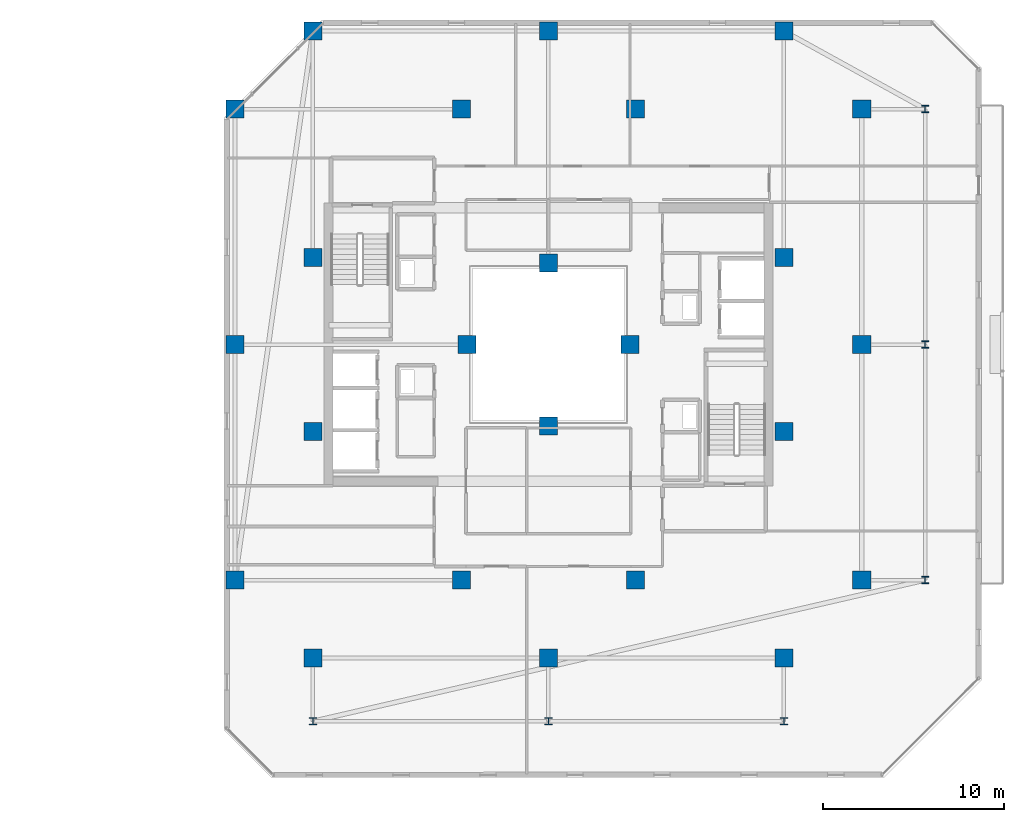
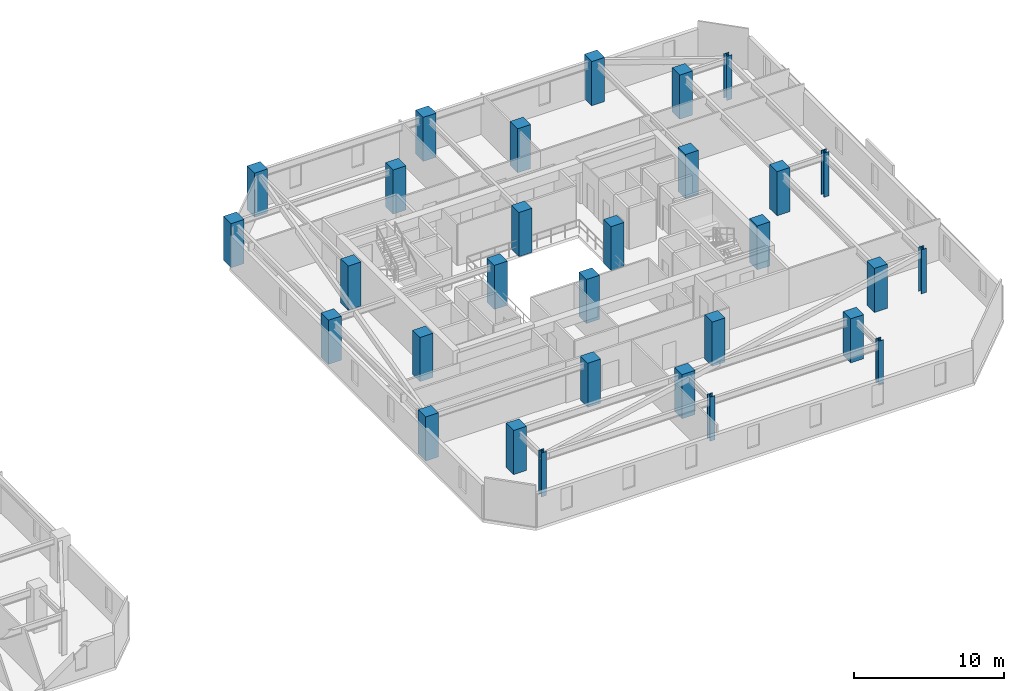
# One storey, part 2 of 32: 30 columns.
"""IFC4 building model written with IfcOpenShell, lengths in metres."""

from ifc_helpers import new_model, si_unit, direction, frame, origin, origin_2d, place, context, subcontext, project, spatial, rectangle, i_section, extrude, material, material_profile, profile_set, type_object, element, save


model = new_model("IFC4")

# Units and contexts
model_context = context("Model", 3, precision=1e-05, world=origin(), true_north=direction((0.0, 1.0)))
body_context = subcontext(model_context, "Body", "Model", "MODEL_VIEW")
ifc_project = project(units=[si_unit("LENGTHUNIT", "METRE"), si_unit("AREAUNIT", "SQUARE_METRE"), si_unit("VOLUMEUNIT", "CUBIC_METRE"), si_unit("PLANEANGLEUNIT", "RADIAN"), si_unit("MASSUNIT", "GRAM", prefix="KILO")], contexts=[model_context])

# Site, building, storey
site_placement = place(None, origin())
site = spatial("IfcSite", under=ifc_project, at=site_placement, CompositionType="ELEMENT")
building_placement = place(site_placement, origin())
building = spatial("IfcBuilding", under=site, at=building_placement, Name="Thornwick Lancets Civic Towers", CompositionType="ELEMENT")
storey_placement = place(building_placement, frame((0.0, 0.0, 240.300048828125)))
storey = spatial("IfcBuildingStorey", under=building, at=storey_placement, Name="L64", CompositionType="ELEMENT", Elevation=240.300048828125)

# Columns
ifc_material_1 = material(Name="Concrete C50/60", Category="concrete")
ifc_material_profile_1 = material_profile(ifc_material_1, rectangle(XDim=1.0, YDim=1.0, at=origin_2d()), Name="RC 1000x1000")
ifc_profile_set_1 = profile_set([ifc_material_profile_1], Name="Concrete C50/60")
column_type_1 = type_object("IfcColumnType", Name="COL_RC_1000", PredefinedType="COLUMN", material=ifc_profile_set_1)
for number, where, z_axis, x_axis, name in (
    (1, (105.800048828125, 14.0, 0.0), (0.0, 0.0, 1.0), (1.0, 0.0, 0.0), "L64 Spine Mega-Column B01"),
    (2, (105.800048828125, 27.0, 0.0), (0.0, 0.0, 1.0), (1.0, 0.0, 0.0), "L64 Spine Mega-Column B02"),
    (3, (105.800048828125, 40.0, 0.0), (0.0, 0.0, 1.0), (1.0, 0.0, 0.0), "L64 Spine Mega-Column B03"),
    (4, (101.5, 44.300048828125, 0.0), (0.0, 0.0, 1.0), (1.0, 0.0, 0.0), "L64 Spine Mega-Column B04"),
    (5, (88.5, 44.300048828125, 0.0), (0.0, 0.0, 1.0), (1.0, 0.0, 0.0), "L64 Spine Mega-Column B05"),
    (6, (75.5, 44.300048828125, 0.0), (0.0, 0.0, 1.0), (1.0, 0.0, 0.0), "L64 Spine Mega-Column B06"),
    (7, (71.199951171875, 14.0, 0.0), (0.0, 0.0, 1.0), (1.0, 0.0, 0.0), "L64 Spine Mega-Column B07"),
    (8, (71.199951171875, 27.0, 0.0), (0.0, 0.0, 1.0), (1.0, 0.0, 0.0), "L64 Spine Mega-Column B08"),
    (9, (71.199951171875, 40.0, 0.0), (0.0, 0.0, 1.0), (1.0, 0.0, 0.0), "L64 Spine Mega-Column B09"),
    (10, (101.5, 9.699951171875, 0.0), (0.0, 0.0, 1.0), (1.0, 0.0, 0.0), "L64 Spine Mega-Column B10"),
    (11, (88.5, 9.699951171875, 0.0), (0.0, 0.0, 1.0), (1.0, 0.0, 0.0), "L64 Spine Mega-Column B11"),
    (12, (75.5, 9.699951171875, 0.0), (0.0, 0.0, 1.0), (1.0, 0.0, 0.0), "L64 Spine Mega-Column B12"),
    (13, (93.300048828125, 14.0, 0.0), (0.0, 0.0, 1.0), (1.0, 0.0, 0.0), "L64 Spine Mega-Column B13"),
    (14, (93.300048828125, 40.0, 0.0), (0.0, 0.0, 1.0), (1.0, 0.0, 0.0), "L64 Spine Mega-Column B14"),
    (15, (83.699951171875, 14.0, 0.0), (0.0, 0.0, 1.0), (1.0, 0.0, 0.0), "L64 Spine Mega-Column B15"),
    (16, (83.699951171875, 40.0, 0.0), (0.0, 0.0, 1.0), (1.0, 0.0, 0.0), "L64 Spine Mega-Column B16"),
    (17, (101.5, 22.199951171875, 0.0), (0.0, 0.0, 1.0), (1.0, 0.0, 0.0), "L64 Spine Mega-Column B17"),
    (18, (101.5, 31.800048828125, 0.0), (0.0, 0.0, 1.0), (1.0, 0.0, 0.0), "L64 Spine Mega-Column B18"),
    (19, (75.5, 22.199951171875, 0.0), (0.0, 0.0, 1.0), (1.0, 0.0, 0.0), "L64 Spine Mega-Column B19"),
    (20, (75.5, 31.800048828125, 0.0), (0.0, 0.0, 1.0), (1.0, 0.0, 0.0), "L64 Spine Mega-Column B20"),
    (21, (93.0, 27.0, 0.0), (0.0, 0.0, 1.0), (1.0, 0.0, 0.0), "L64 Spine Mega-Column B21"),
    (22, (84.0, 27.0, 0.0), (0.0, 0.0, 1.0), (1.0, 0.0, 0.0), "L64 Spine Mega-Column B22"),
    (23, (88.5, 22.5, 0.0), (0.0, 0.0, 1.0), (1.0, 0.0, 0.0), "L64 Spine Mega-Column B23"),
    (24, (88.5, 31.5, 0.0), (0.0, 0.0, 1.0), (1.0, 0.0, 0.0), "L64 Spine Mega-Column B24"),
):
    element("IfcColumn", number, at=place(storey_placement, frame(where, z_axis=z_axis, x_axis=x_axis)), inside=storey, type_object=column_type_1, Name=name, PredefinedType="COLUMN", context=body_context, shape_type="SweptSolid", body=[
        extrude(rectangle(XDim=1.0, YDim=1.0, at=origin_2d()), origin(), (0.0, 0.0, 1.0), 3.599853515625),
    ])
ifc_material_2 = material(Name="Steel S355JR", Category="steel")
ifc_material_profile_2 = material_profile(ifc_material_2, i_section(OverallWidth=0.39892578125, OverallDepth=0.3935546875, WebThickness=0.022705078125, FlangeThickness=0.03662109375, FilletRadius=0.01513671875, at=origin_2d()), Name="UKC 356x406x287")
ifc_profile_set_2 = profile_set([ifc_material_profile_2], Name="Steel S355JR")
column_type_2 = type_object("IfcColumnType", Name="COL_UKC_287", PredefinedType="COLUMN", material=ifc_profile_set_2)
for number, where, z_axis, x_axis, name in (
    (25, (109.300048828125, 14.0, 0.0), (0.0, 0.0, 1.0), (1.0, 0.0, 0.0), "L64 Block Perimeter Column B01"),
    (26, (109.300048828125, 27.0, 0.0), (0.0, 0.0, 1.0), (1.0, 0.0, 0.0), "L64 Block Perimeter Column B02"),
    (27, (109.300048828125, 40.0, 0.0), (0.0, 0.0, 1.0), (1.0, 0.0, 0.0), "L64 Block Perimeter Column B03"),
    (28, (101.5, 6.199951171875, 0.0), (0.0, 0.0, 1.0), (1.0, 0.0, 0.0), "L64 Block Perimeter Column B10"),
    (29, (88.5, 6.199951171875, 0.0), (0.0, 0.0, 1.0), (1.0, 0.0, 0.0), "L64 Block Perimeter Column B11"),
    (30, (75.5, 6.199951171875, 0.0), (0.0, 0.0, 1.0), (1.0, 0.0, 0.0), "L64 Block Perimeter Column B12"),
):
    element("IfcColumn", number, at=place(storey_placement, frame(where, z_axis=z_axis, x_axis=x_axis)), inside=storey, type_object=column_type_2, Name=name, PredefinedType="COLUMN", context=body_context, shape_type="SweptSolid", body=[
        extrude(i_section(OverallWidth=0.39892578125, OverallDepth=0.3935546875, WebThickness=0.022705078125, FlangeThickness=0.03662109375, FilletRadius=0.01513671875, at=origin_2d()), origin(), (0.0, 0.0, 1.0), 3.599853515625),
    ])

save(model, "model.ifc")
